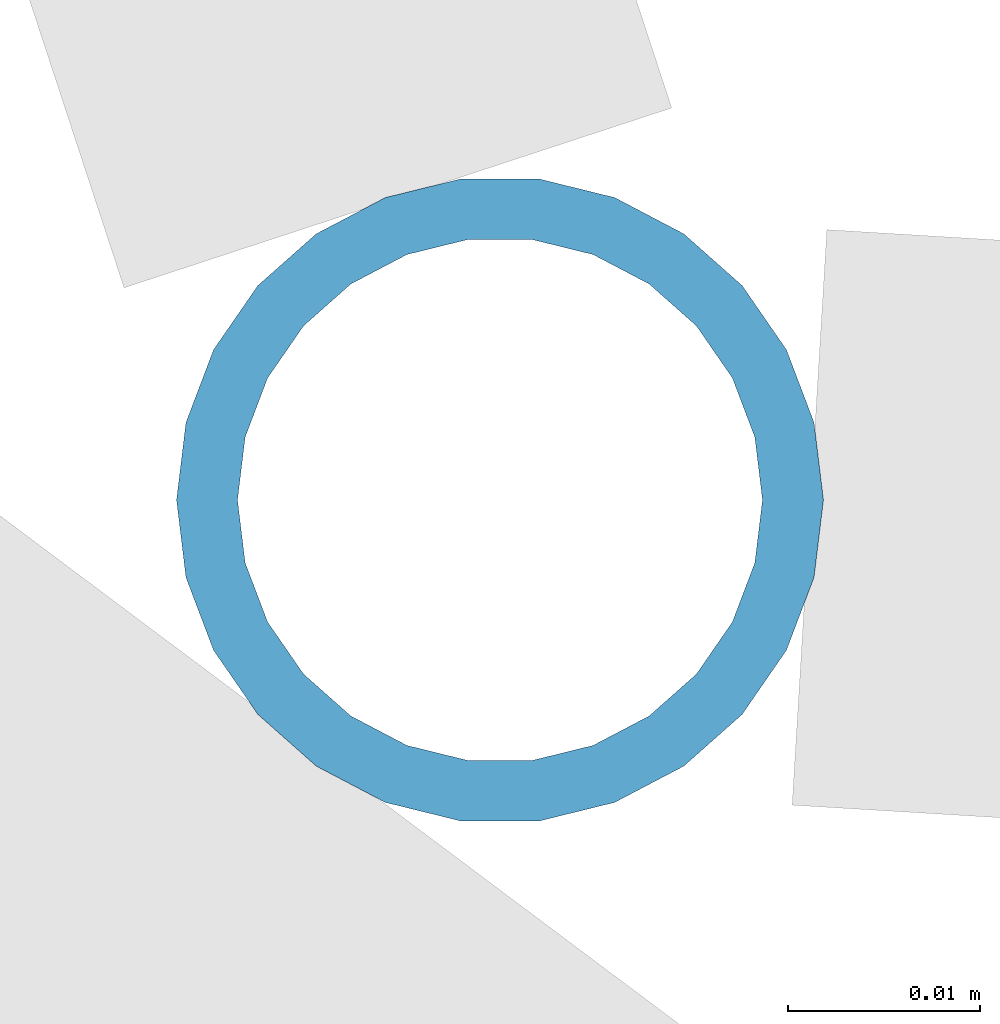
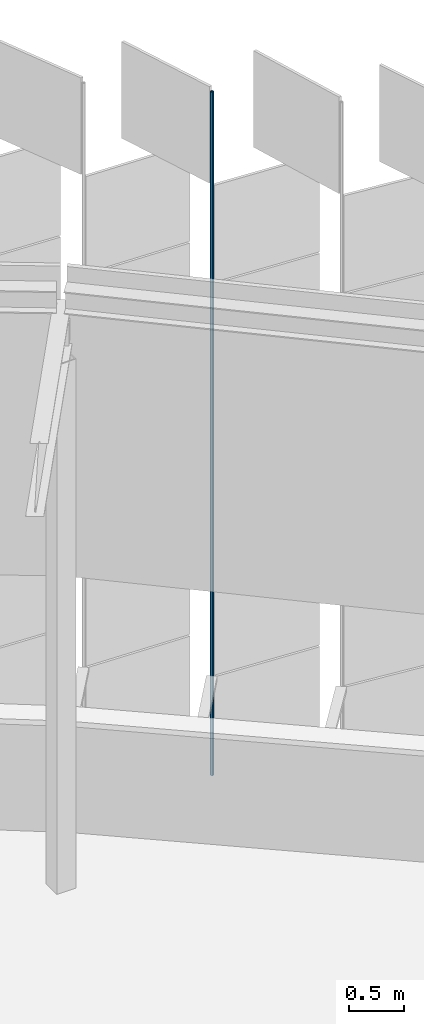
# One storey, part 315 of 483: 1 discrete accessory.
"""IFC4 building model written with IfcOpenShell, lengths in metres."""

from ifc_helpers import new_model, si_unit, direction, frame, origin, origin_2d, place, context, subcontext, project, spatial, hollow_circle, extrude, material, material_profile, profile_set, type_object, element, save


model = new_model("IFC4")

# Units and contexts
model_context = context("Model", 3, precision=1e-05, world=origin(), true_north=direction((0.0, 1.0)))
body_context = subcontext(model_context, "Body", "Model", "MODEL_VIEW")
ifc_project = project(units=[si_unit("LENGTHUNIT", "METRE"), si_unit("AREAUNIT", "SQUARE_METRE"), si_unit("VOLUMEUNIT", "CUBIC_METRE"), si_unit("PLANEANGLEUNIT", "RADIAN"), si_unit("MASSUNIT", "GRAM", prefix="KILO")], contexts=[model_context])

# Site, building, storey
site_placement = place(None, origin())
site = spatial("IfcSite", under=ifc_project, at=site_placement, CompositionType="ELEMENT")
building_placement = place(site_placement, origin())
building = spatial("IfcBuilding", under=site, at=building_placement, Name="Parallax Yard Mobility Hub", CompositionType="ELEMENT")
storey_placement = place(building_placement, frame((0.0, 0.0, 13.199951171875)))
storey = spatial("IfcBuildingStorey", under=building, at=storey_placement, Name="L04", CompositionType="ELEMENT", Elevation=13.199951171875)

# Discrete accessory
ifc_material = material(Name="Steel ASTM A500 Gr C, hot-dip galvanised", Category="steel")
ifc_material_profile = material_profile(ifc_material, hollow_circle(Radius=0.016845703125, WallThickness=0.003173828125, at=origin_2d()), Name="CHS 33.7x3.2")
ifc_profile_set = profile_set([ifc_material_profile], Name="Steel ASTM A500 Gr C, hot-dip galvanised")
discrete_accessory_type = type_object("IfcDiscreteAccessoryType", Name="Hinge post CHS 33.7x3.2", PredefinedType="BRACKET", material=ifc_profile_set)
discrete_accessory_placement = place(storey_placement, frame((204.797607421875, 132.42529296875, 0.0), z_axis=(0.0, 0.0, 1.0), x_axis=(1.0, 0.0, 0.0)))
element("IfcDiscreteAccessory", 1, at=discrete_accessory_placement, inside=storey, type_object=discrete_accessory_type, Name="Hinge post bay 46.7 level L04", PredefinedType="BRACKET", context=body_context, shape_type="SweptSolid", body=[
    extrude(hollow_circle(Radius=0.016845703125, WallThickness=0.003173828125, at=origin_2d()), origin(), (0.0, 0.0, 1.0), 7.650146484375),
])

save(model, "model.ifc")
